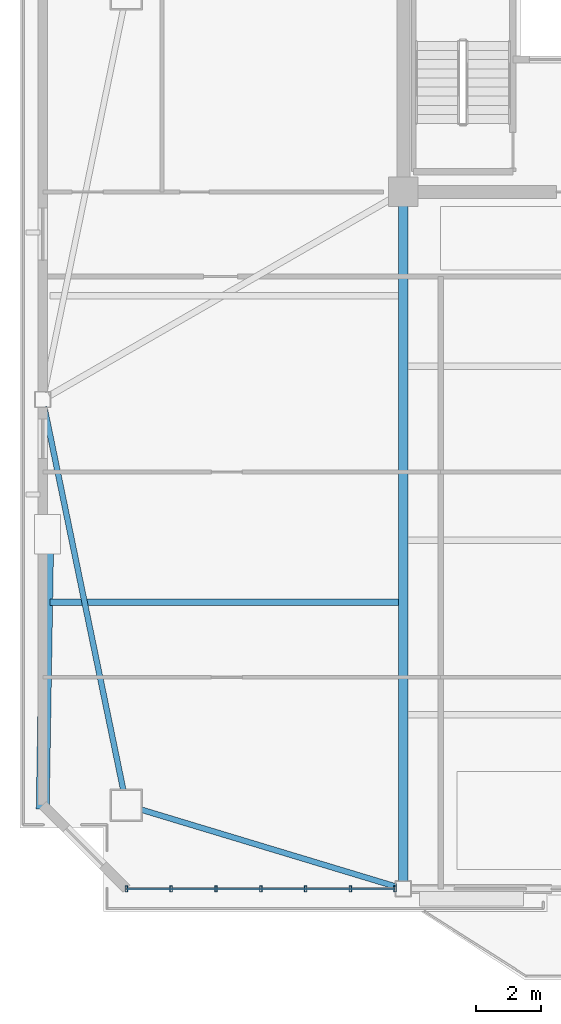
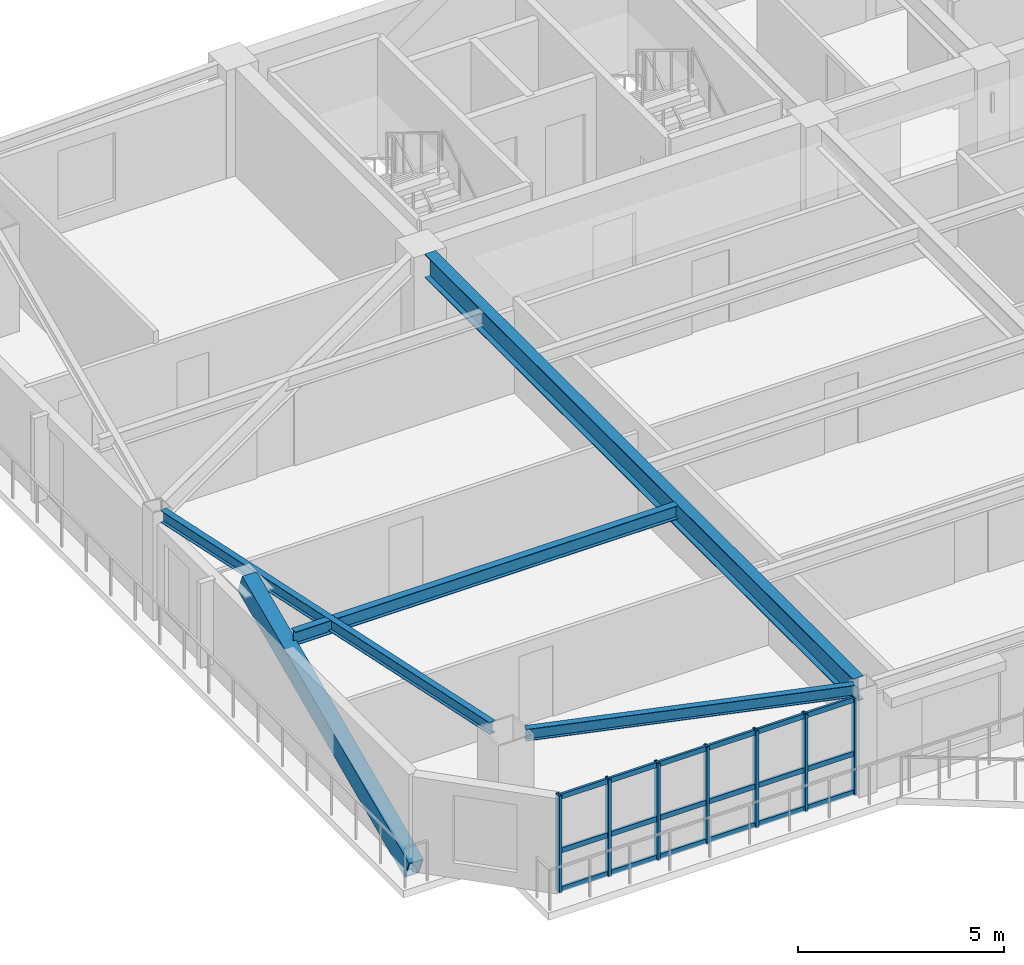
# One storey, part 2 of 18: 11 members, 4 beams, 1 element without a shape of its own.
"""IFC4 building model written with IfcOpenShell, lengths in metres."""

from ifc_helpers import new_model, si_unit, direction, frame, origin, origin_2d, place, context, subcontext, project, spatial, hollow_rectangle, i_section, extrude, source, transform, mapped, material, layer, layer_set, material_profile, profile_set, type_object, element, aggregate, save


model = new_model("IFC4")

# Units and contexts
model_context = context("Model", 3, precision=1e-05, world=origin(), true_north=direction((0.0, 1.0)))
body_context = subcontext(model_context, "Body", "Model", "MODEL_VIEW")
ifc_project = project(units=[si_unit("LENGTHUNIT", "METRE"), si_unit("AREAUNIT", "SQUARE_METRE"), si_unit("VOLUMEUNIT", "CUBIC_METRE"), si_unit("PLANEANGLEUNIT", "RADIAN"), si_unit("MASSUNIT", "GRAM", prefix="KILO")], contexts=[model_context])

# Site, building, storey
site_placement = place(None, origin())
site = spatial("IfcSite", under=ifc_project, at=site_placement, CompositionType="ELEMENT")
building_placement = place(site_placement, origin())
building = spatial("IfcBuilding", under=site, at=building_placement, Name="Giltprow Tower", CompositionType="ELEMENT")
storey_placement = place(building_placement, frame((0.0, 0.0, 258.699951171875)))
storey = spatial("IfcBuildingStorey", under=building, at=storey_placement, Name="L66", CompositionType="ELEMENT", Elevation=258.699951171875)

# Beams
ifc_material_1 = material(Name="Structural steel Q355B", Category="steel")
ifc_material_profile_1 = material_profile(ifc_material_1, i_section(OverallWidth=0.175048828125, OverallDepth=0.35009765625, WebThickness=0.007080078125, FlangeThickness=0.010986328125, at=origin_2d()), Name="HN 350x175x7x11")
ifc_profile_set_1 = profile_set([ifc_material_profile_1], Name="Structural steel Q355B")
beam_type_1 = type_object("IfcBeamType", Name="BM-SPAN-HN350", PredefinedType="SPANDREL", material=ifc_profile_set_1)
shared_shape_1 = source(origin(), body_context, "Body", "SweptSolid", [
    extrude(i_section(OverallWidth=0.175048828125, OverallDepth=0.35009765625, WebThickness=0.007080078125, FlangeThickness=0.010986328125, at=origin_2d()), origin(), (0.0, 0.0, 1.0), 8.161865234375),
])
beam_1_placement = place(storey_placement, frame((11.81201171875, 18.47412109375, 3.010009765625), z_axis=(0.957244757, -0.289279233952, 0.0), x_axis=(0.289279233952, 0.957244757, 0.0)))
element("IfcBeam", 1, at=beam_1_placement, inside=storey, type_object=beam_type_1, Name="L66 Perimeter Spandrel Beam MC_SW-S1", PredefinedType="SPANDREL", context=body_context, shape_type="MappedRepresentation", body=[
    mapped(shared_shape_1, transform((0.0, 0.0, 0.0), x_axis=(1.0, 0.0, 0.0), y_axis=(0.0, 1.0, 0.0), z_axis=(0.0, 0.0, 1.0), scale=1.0)),
])
shared_shape_2 = source(origin(), body_context, "Body", "SweptSolid", [
    extrude(i_section(OverallWidth=0.175048828125, OverallDepth=0.35009765625, WebThickness=0.007080078125, FlangeThickness=0.010986328125, at=origin_2d()), origin(), (0.0, 0.0, 1.0), 12.000244140625),
])
beam_2_placement = place(storey_placement, frame((8.825927734375, 30.842041015625, 3.010009765625), z_axis=(0.202000773979, -0.979385362006, 0.0), x_axis=(0.979385362006, 0.202000773979, 0.0)))
element("IfcBeam", 2, at=beam_2_placement, inside=storey, type_object=beam_type_1, Name="L66 Perimeter Spandrel Beam W_MID-MC_SW", PredefinedType="SPANDREL", context=body_context, shape_type="MappedRepresentation", body=[
    mapped(shared_shape_2, transform((0.0, 0.0, 0.0), x_axis=(1.0, 0.0, 0.0), y_axis=(0.0, 1.0, 0.0), z_axis=(0.0, 0.0, 1.0), scale=1.0)),
])
ifc_material_profile_2 = material_profile(ifc_material_1, i_section(OverallWidth=0.199951171875, OverallDepth=0.39990234375, WebThickness=0.008056640625, FlangeThickness=0.012939453125, at=origin_2d()), Name="HN 400x200x8x13")
ifc_profile_set_2 = profile_set([ifc_material_profile_2], Name="Structural steel Q355B")
beam_type_2 = type_object("IfcBeamType", Name="BM-JOIST-HN400", PredefinedType="JOIST", material=ifc_profile_set_2)
shared_shape_3 = source(origin(), body_context, "Body", "SweptSolid", [
    extrude(i_section(OverallWidth=0.199951171875, OverallDepth=0.39990234375, WebThickness=0.008056640625, FlangeThickness=0.012939453125, at=origin_2d()), origin(), (0.0, 0.0, 1.0), 10.7060546875),
])
beam_3_placement = place(storey_placement, frame((8.9990234375, 24.843017578125, 2.985107421875), z_axis=(1.0, 0.0, 0.0), x_axis=(0.0, 1.0, 0.0)))
element("IfcBeam", 3, at=beam_3_placement, inside=storey, type_object=beam_type_2, Name="L66 West Wing Floor Joist 1", PredefinedType="JOIST", context=body_context, shape_type="MappedRepresentation", body=[
    mapped(shared_shape_3, transform((0.0, 0.0, 0.0), x_axis=(1.0, 0.0, 0.0), y_axis=(0.0, 1.0, 0.0), z_axis=(0.0, 0.0, 1.0), scale=1.0)),
])
ifc_material_profile_3 = material_profile(ifc_material_1, i_section(OverallWidth=0.300048828125, OverallDepth=0.699951171875, WebThickness=0.012939453125, FlangeThickness=0.02392578125, at=origin_2d()), Name="HN 700x300x13x24")
ifc_profile_set_3 = profile_set([ifc_material_profile_3], Name="Structural steel Q355B")
beam_type_3 = type_object("IfcBeamType", Name="BM-GIRD-HN700", PredefinedType="BEAM", material=ifc_profile_set_3)
shared_shape_4 = source(origin(), body_context, "Body", "SweptSolid", [
    extrude(i_section(OverallWidth=0.300048828125, OverallDepth=0.699951171875, WebThickness=0.012939453125, FlangeThickness=0.02392578125, at=origin_2d()), origin(), (0.0, 0.0, 1.0), 20.73486328125),
])
beam_4_placement = place(storey_placement, frame((19.85009765625, 16.280029296875, 2.8349609375), z_axis=(0.0, 1.0, 0.0), x_axis=(-1.0, 0.0, 0.0)))
element("IfcBeam", 4, at=beam_4_placement, inside=storey, type_object=beam_type_3, Name="L66 Primary Lease Girder S1", PredefinedType="BEAM", context=body_context, shape_type="MappedRepresentation", body=[
    mapped(shared_shape_4, transform((0.0, 0.0, 0.0), x_axis=(1.0, 0.0, 0.0), y_axis=(0.0, 1.0, 0.0), z_axis=(0.0, 0.0, 1.0), scale=1.0)),
])

# Member
ifc_material_2 = material(Name="Structural steel Q420GJC", Category="steel")
ifc_material_profile_4 = material_profile(ifc_material_2, hollow_rectangle(XDim=0.39990234375, YDim=0.60009765625, WallThickness=0.028076171875, at=origin_2d()), Name="RHS 600x400x28")
ifc_profile_set_4 = profile_set([ifc_material_profile_4], Name="Structural steel Q420GJC")
member_type_1 = type_object("IfcMemberType", Name="MBR-MEGA-RHS600", PredefinedType="BRACE", material=ifc_profile_set_4)
shared_shape_5 = source(origin(), body_context, "Body", "SweptSolid", [
    extrude(hollow_rectangle(XDim=0.39990234375, YDim=0.60009765625, WallThickness=0.028076171875, at=origin_2d()), origin(), (0.0, 0.0, 1.0), 8.989990234375),
])
member_1_placement = place(storey_placement, frame((8.779052734375, 18.614013671875, 0.0), z_axis=(0.015343681746, 0.925590628234, 0.378214965801), x_axis=(-0.999862626876, 0.01657490198, 0.0)))
element("IfcMember", 5, at=member_1_placement, inside=storey, type_object=member_type_1, Name="L66 Chevron Mega-Brace W-D", PredefinedType="BRACE", context=body_context, shape_type="MappedRepresentation", body=[
    mapped(shared_shape_5, transform((0.0, 0.0, 0.0), x_axis=(1.0, 0.0, 0.0), y_axis=(0.0, 1.0, 0.0), z_axis=(0.0, 0.0, 1.0), scale=1.0)),
])

# Curtain wall, members
ifc_material_3 = material(Name="Anodized bronze", Category="metal")
ifc_layer = layer(ifc_material_3, 0.179931640625, Name="Anodized bronze")
ifc_layer_set = layer_set([ifc_layer], Name="Anodized bronze")
curtain_wall_type = type_object("IfcCurtainWallType", Name="CW-RES-SKY", PredefinedType="NOTDEFINED", material=ifc_layer_set)
curtain_wall_placement = place(storey_placement, origin())
curtain_wall = element("IfcCurtainWall", 6, at=curtain_wall_placement, inside=storey, type_object=curtain_wall_type, Name="L66 South Recessed Curtain Wall 1", PredefinedType="NOTDEFINED")
ifc_material_profile_5 = material_profile(ifc_material_3, hollow_rectangle(XDim=0.074951171875, YDim=0.179931640625, WallThickness=0.008056640625, at=origin_2d()), Name="RHS 180x75x8")
ifc_profile_set_5 = profile_set([ifc_material_profile_5], Name="Anodized bronze")
member_type_2 = type_object("IfcMemberType", Name="CW-MULLION-180x75", PredefinedType="MULLION", material=ifc_profile_set_5)
shared_shape_6 = source(origin(), body_context, "Body", "SweptSolid", [
    extrude(hollow_rectangle(XDim=0.074951171875, YDim=0.179931640625, WallThickness=0.008056640625, at=origin_2d()), origin(), (0.0, 0.0, 1.0), 2.8701171875),
])
member_2_placement = place(storey_placement, frame((11.347900390625, 16.044921875, -0.02001953125), z_axis=(0.0, 0.0, 1.0), x_axis=(1.0, 0.0, 0.0)))
member_2 = element("IfcMember", 7, at=member_2_placement, type_object=member_type_2, Name="L66 South Recessed Curtain Wall 1 Mullion 1", PredefinedType="MULLION", context=body_context, shape_type="MappedRepresentation", body=[
    mapped(shared_shape_6, transform((0.0, 0.0, 0.0), x_axis=(1.0, 0.0, 0.0), y_axis=(0.0, 1.0, 0.0), z_axis=(0.0, 0.0, 1.0), scale=1.0)),
])
member_3_placement = place(storey_placement, frame((12.722900390625, 16.044921875, -0.02001953125), z_axis=(0.0, 0.0, 1.0), x_axis=(1.0, 0.0, 0.0)))
member_3 = element("IfcMember", 8, at=member_3_placement, type_object=member_type_2, Name="L66 South Recessed Curtain Wall 1 Mullion 2", PredefinedType="MULLION", context=body_context, shape_type="MappedRepresentation", body=[
    mapped(shared_shape_6, transform((0.0, 0.0, 0.0), x_axis=(1.0, 0.0, 0.0), y_axis=(0.0, 1.0, 0.0), z_axis=(0.0, 0.0, 1.0), scale=1.0)),
])
member_4_placement = place(storey_placement, frame((14.09912109375, 16.044921875, -0.02001953125), z_axis=(0.0, 0.0, 1.0), x_axis=(1.0, 0.0, 0.0)))
member_4 = element("IfcMember", 9, at=member_4_placement, type_object=member_type_2, Name="L66 South Recessed Curtain Wall 1 Mullion 3", PredefinedType="MULLION", context=body_context, shape_type="MappedRepresentation", body=[
    mapped(shared_shape_6, transform((0.0, 0.0, 0.0), x_axis=(1.0, 0.0, 0.0), y_axis=(0.0, 1.0, 0.0), z_axis=(0.0, 0.0, 1.0), scale=1.0)),
])
member_5_placement = place(storey_placement, frame((15.47412109375, 16.044921875, -0.02001953125), z_axis=(0.0, 0.0, 1.0), x_axis=(1.0, 0.0, 0.0)))
member_5 = element("IfcMember", 10, at=member_5_placement, type_object=member_type_2, Name="L66 South Recessed Curtain Wall 1 Mullion 4", PredefinedType="MULLION", context=body_context, shape_type="MappedRepresentation", body=[
    mapped(shared_shape_6, transform((0.0, 0.0, 0.0), x_axis=(1.0, 0.0, 0.0), y_axis=(0.0, 1.0, 0.0), z_axis=(0.0, 0.0, 1.0), scale=1.0)),
])
member_6_placement = place(storey_placement, frame((16.84912109375, 16.044921875, -0.02001953125), z_axis=(0.0, 0.0, 1.0), x_axis=(1.0, 0.0, 0.0)))
member_6 = element("IfcMember", 11, at=member_6_placement, type_object=member_type_2, Name="L66 South Recessed Curtain Wall 1 Mullion 5", PredefinedType="MULLION", context=body_context, shape_type="MappedRepresentation", body=[
    mapped(shared_shape_6, transform((0.0, 0.0, 0.0), x_axis=(1.0, 0.0, 0.0), y_axis=(0.0, 1.0, 0.0), z_axis=(0.0, 0.0, 1.0), scale=1.0)),
])
member_7_placement = place(storey_placement, frame((18.22509765625, 16.044921875, -0.02001953125), z_axis=(0.0, 0.0, 1.0), x_axis=(1.0, 0.0, 0.0)))
member_7 = element("IfcMember", 12, at=member_7_placement, type_object=member_type_2, Name="L66 South Recessed Curtain Wall 1 Mullion 6", PredefinedType="MULLION", context=body_context, shape_type="MappedRepresentation", body=[
    mapped(shared_shape_6, transform((0.0, 0.0, 0.0), x_axis=(1.0, 0.0, 0.0), y_axis=(0.0, 1.0, 0.0), z_axis=(0.0, 0.0, 1.0), scale=1.0)),
])
member_8_placement = place(storey_placement, frame((19.60009765625, 16.044921875, -0.02001953125), z_axis=(0.0, 0.0, 1.0), x_axis=(1.0, 0.0, 0.0)))
member_8 = element("IfcMember", 13, at=member_8_placement, type_object=member_type_2, Name="L66 South Recessed Curtain Wall 1 Mullion 7", PredefinedType="MULLION", context=body_context, shape_type="MappedRepresentation", body=[
    mapped(shared_shape_6, transform((0.0, 0.0, 0.0), x_axis=(1.0, 0.0, 0.0), y_axis=(0.0, 1.0, 0.0), z_axis=(0.0, 0.0, 1.0), scale=1.0)),
])
ifc_material_profile_6 = material_profile(ifc_material_3, hollow_rectangle(XDim=0.06494140625, YDim=0.14990234375, WallThickness=0.006103515625, at=origin_2d()), Name="RHS 150x65x6")
ifc_profile_set_6 = profile_set([ifc_material_profile_6], Name="Anodized bronze")
member_type_3 = type_object("IfcMemberType", Name="CW-TRANSOM-150x65", PredefinedType="USERDEFINED", material=ifc_profile_set_6)
shared_shape_7 = source(origin(), body_context, "Body", "SweptSolid", [
    extrude(hollow_rectangle(XDim=0.06494140625, YDim=0.14990234375, WallThickness=0.006103515625, at=origin_2d()), origin(), (0.0, 0.0, 1.0), 8.252197265625),
])
member_9_placement = place(storey_placement, frame((11.347900390625, 16.044921875, 0.0400390625), z_axis=(1.0, 0.0, 0.0), x_axis=(0.0, 1.0, 0.0)))
member_9 = element("IfcMember", 14, at=member_9_placement, type_object=member_type_3, Name="L66 South Recessed Curtain Wall 1 Transom 1", ObjectType="TRANSOM", PredefinedType="USERDEFINED", context=body_context, shape_type="MappedRepresentation", body=[
    mapped(shared_shape_7, transform((0.0, 0.0, 0.0), x_axis=(1.0, 0.0, 0.0), y_axis=(0.0, 1.0, 0.0), z_axis=(0.0, 0.0, 1.0), scale=1.0)),
])
member_10_placement = place(storey_placement, frame((11.347900390625, 16.044921875, 1.18212890625), z_axis=(1.0, 0.0, 0.0), x_axis=(0.0, 1.0, 0.0)))
member_10 = element("IfcMember", 15, at=member_10_placement, type_object=member_type_3, Name="L66 South Recessed Curtain Wall 1 Transom 2", ObjectType="TRANSOM", PredefinedType="USERDEFINED", context=body_context, shape_type="MappedRepresentation", body=[
    mapped(shared_shape_7, transform((0.0, 0.0, 0.0), x_axis=(1.0, 0.0, 0.0), y_axis=(0.0, 1.0, 0.0), z_axis=(0.0, 0.0, 1.0), scale=1.0)),
])
member_11_placement = place(storey_placement, frame((11.347900390625, 16.044921875, 2.775146484375), z_axis=(1.0, 0.0, 0.0), x_axis=(0.0, 1.0, 0.0)))
member_11 = element("IfcMember", 16, at=member_11_placement, type_object=member_type_3, Name="L66 South Recessed Curtain Wall 1 Transom 3", ObjectType="TRANSOM", PredefinedType="USERDEFINED", context=body_context, shape_type="MappedRepresentation", body=[
    mapped(shared_shape_7, transform((0.0, 0.0, 0.0), x_axis=(1.0, 0.0, 0.0), y_axis=(0.0, 1.0, 0.0), z_axis=(0.0, 0.0, 1.0), scale=1.0)),
])
aggregate(curtain_wall, [member_2, member_3, member_4, member_5, member_6, member_7, member_8, member_9, member_10, member_11])

save(model, "model.ifc")
